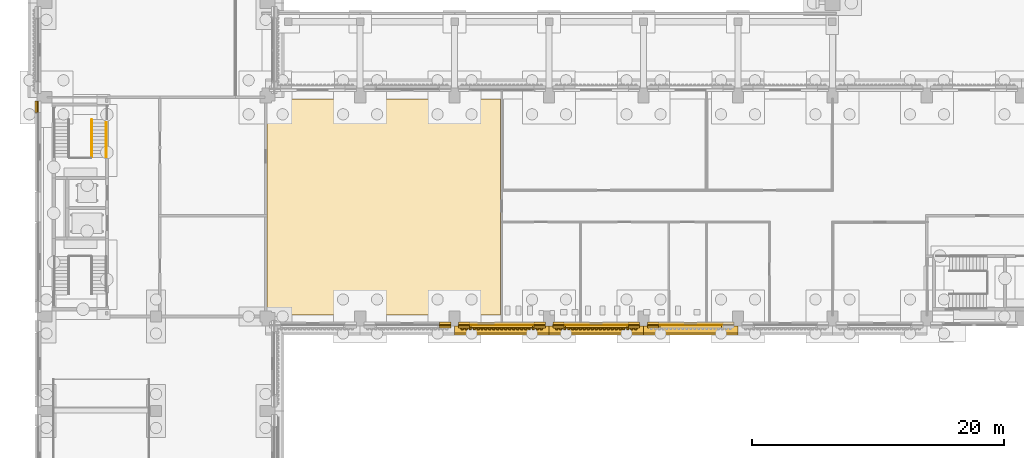
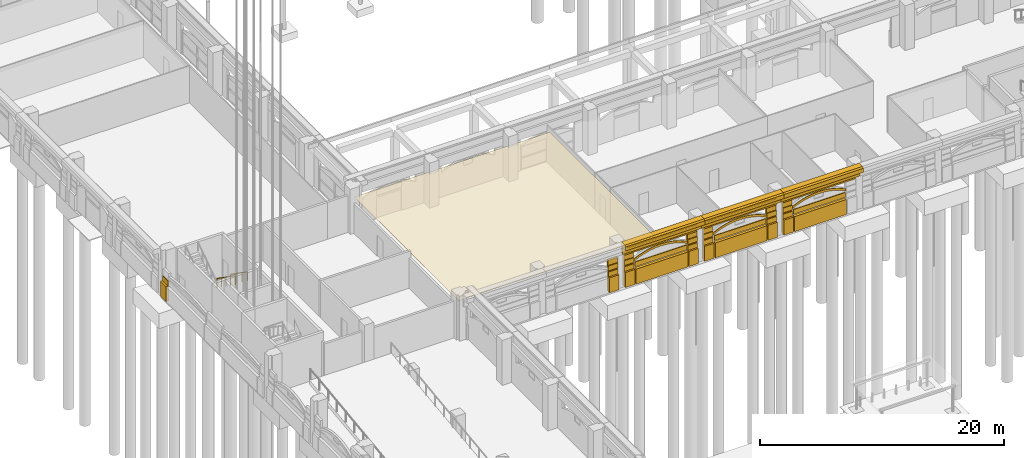
# One storey, part 65 of 99: 44 coverings, 2 railings.
"""IFC4 building model written with IfcOpenShell, lengths in metres."""

from ifc_helpers import new_model, si_unit, direction, frame, origin, origin_2d, place, context, subcontext, project, spatial, polyline, circle, outline, extrude, material, layer, layer_set, type_object, element, save


model = new_model("IFC4")

# Units and contexts
model_context = context("Model", 3, precision=1e-05, world=origin(), true_north=direction((0.0, 1.0)))
body_context = subcontext(model_context, "Body", "Model", "MODEL_VIEW")
ifc_project = project(units=[si_unit("LENGTHUNIT", "METRE"), si_unit("AREAUNIT", "SQUARE_METRE"), si_unit("VOLUMEUNIT", "CUBIC_METRE"), si_unit("PLANEANGLEUNIT", "RADIAN"), si_unit("MASSUNIT", "GRAM", prefix="KILO")], contexts=[model_context])

# Site, building, storey
site_placement = place(None, origin())
site = spatial("IfcSite", under=ifc_project, at=site_placement, CompositionType="ELEMENT")
building_placement = place(site_placement, origin())
building = spatial("IfcBuilding", under=site, at=building_placement, Name="Cour d'Honneur Mobility Palace", CompositionType="ELEMENT")
storey_placement = place(building_placement, origin())
storey = spatial("IfcBuildingStorey", under=building, at=storey_placement, Name="L00", CompositionType="ELEMENT", Elevation=0.0)

# Coverings
ifc_material_1 = material(Name="Cast limestone", Category="masonry")
ifc_layer_1 = layer(ifc_material_1, 0.050048828125)
ifc_layer_set_1 = layer_set([ifc_layer_1], Name="Cast limestone")
covering_type_1 = type_object("IfcCoveringType", Name="Arch hood", PredefinedType="CLADDING", material=ifc_layer_set_1)
for number, where, z_axis, x_axis, name in (
    (1, (33.60009765625, 44.300048828125, 2.179931640625), (0.0, -1.0, 0.0), (0.893466628376, 0.0, 0.449129584839), "Arch hood AH-9"),
    (2, (41.10009765625, 44.300048828125, 2.179931640625), (0.0, -1.0, 0.0), (0.893466628376, 0.0, 0.449129584839), "Arch hood AH-10"),
    (3, (48.60009765625, 44.300048828125, 2.179931640625), (0.0, -1.0, 0.0), (0.893466628376, 0.0, 0.449129584839), "Arch hood AH-11"),
):
    element("IfcCovering", number, at=place(storey_placement, frame(where, z_axis=z_axis, x_axis=x_axis)), inside=storey, type_object=covering_type_1, Name=name, PredefinedType="CLADDING", context=body_context, shape_type="SweptSolid", body=[
        extrude(outline(polyline([(0.0, 0.0), (0.35659251896621735, 0.0), (0.7019994885684498, -0.022795326888668588), (1.0365522012474004, -0.0666397586034293), (1.3614544754480467, -0.13022567619190017), (1.6770364335570624, -0.21235277137119013), (1.9834088964060255, -0.3122569988605455), (2.2812274285521696, -0.4297213972129261), (2.5701654177709066, -0.564308533372167), (2.850768777841922, -0.7160195773922962), (3.122709726486599, -0.8849630099968336), (3.38566048142632, -1.0712473119092998), (3.6398380041081246, -1.2755280476869282), (3.8844770791972314, -1.4982403102778272), (4.119465715808033, -1.740694058742436), (4.343818226996622, -2.004306562810686), (4.556548925819088, -2.2904950922125074), (4.655344276390369, -2.0939586097498237), (4.44272322834545, -1.807551948846934), (4.218261066379314, -1.5441575762797524), (3.983272429768512, -1.3017038278151434), (3.7387430054569535, -1.078773433723176), (3.4844558319976, -0.8747108294466162), (3.221505077057879, -0.68842652753415), (2.949564128413202, -0.5194830949296125), (2.6689607683421865, -0.3677720509094833), (2.3800227791234496, -0.2331849147502425), (2.0822042469773057, -0.11572051639786185), (1.7758317841283424, -0.015816288908506504), (1.4603594767968753, 0.06652893777185187), (1.1353475518186806, 0.12989672385925438), (0.8007948391397299, 0.17374115557401504), (0.45549752031504603, 0.1967546139637521), (0.09879535057128006, 0.19653648246268365), (0.0, 0.0)])), origin(), (0.0, 0.0, -1.0), 0.050048828125),
    ])
ifc_material_2 = material(Name="Cast limestone", Category="masonry")
ifc_layer_2 = layer(ifc_material_2, 0.14990234375)
ifc_layer_set_2 = layer_set([ifc_layer_2], Name="Cast limestone")
covering_type_2 = type_object("IfcCoveringType", Name="Dentil course", PredefinedType="CLADDING", material=ifc_layer_set_2)
covering_1_placement = place(storey_placement, frame((0.0, 0.0, 3.949951171875)))
element("IfcCovering", 4, at=covering_1_placement, inside=storey, type_object=covering_type_2, Name="Dentil course DC-7", PredefinedType="CLADDING", context=body_context, shape_type="SweptSolid", body=[
    extrude(outline(polyline([(32.85009765625, 44.10009765625), (39.449951171875, 44.10009765625), (39.449951171875, 44.070068359375), (39.449951171875, 44.070068359375), (39.371337890625, 44.070068359375), (39.371337890625, 43.949951171875), (39.21435546875, 43.949951171875), (39.21435546875, 44.070068359375), (39.1357421875, 44.070068359375), (39.1357421875, 44.070068359375), (39.05712890625, 44.070068359375), (39.05712890625, 43.949951171875), (38.89990234375, 43.949951171875), (38.89990234375, 44.070068359375), (38.821533203125, 44.070068359375), (38.821533203125, 44.070068359375), (38.742919921875, 44.070068359375), (38.742919921875, 43.949951171875), (38.585693359375, 43.949951171875), (38.585693359375, 44.070068359375), (38.507080078125, 44.070068359375), (38.507080078125, 44.070068359375), (38.428466796875, 44.070068359375), (38.428466796875, 43.949951171875), (38.271484375, 43.949951171875), (38.271484375, 44.070068359375), (38.19287109375, 44.070068359375), (38.19287109375, 44.070068359375), (38.1142578125, 44.070068359375), (38.1142578125, 43.949951171875), (37.95703125, 43.949951171875), (37.95703125, 44.070068359375), (37.878662109375, 44.070068359375), (37.878662109375, 44.070068359375), (37.800048828125, 44.070068359375), (37.800048828125, 43.949951171875), (37.642822265625, 43.949951171875), (37.642822265625, 44.070068359375), (37.564208984375, 44.070068359375), (37.564208984375, 44.070068359375), (37.485595703125, 44.070068359375), (37.485595703125, 43.949951171875), (37.32861328125, 43.949951171875), (37.32861328125, 44.070068359375), (37.25, 44.070068359375), (37.25, 44.070068359375), (37.17138671875, 44.070068359375), (37.17138671875, 43.949951171875), (37.014404296875, 43.949951171875), (37.014404296875, 44.070068359375), (36.935791015625, 44.070068359375), (36.935791015625, 44.070068359375), (36.857177734375, 44.070068359375), (36.857177734375, 43.949951171875), (36.699951171875, 43.949951171875), (36.699951171875, 44.070068359375), (36.621337890625, 44.070068359375), (36.621337890625, 44.070068359375), (36.54296875, 44.070068359375), (36.54296875, 43.949951171875), (36.3857421875, 43.949951171875), (36.3857421875, 44.070068359375), (36.30712890625, 44.070068359375), (36.30712890625, 44.070068359375), (36.228515625, 44.070068359375), (36.228515625, 43.949951171875), (36.071533203125, 43.949951171875), (36.071533203125, 44.070068359375), (35.992919921875, 44.070068359375), (35.992919921875, 44.070068359375), (35.914306640625, 44.070068359375), (35.914306640625, 43.949951171875), (35.757080078125, 43.949951171875), (35.757080078125, 44.070068359375), (35.678466796875, 44.070068359375), (35.678466796875, 44.070068359375), (35.60009765625, 44.070068359375), (35.60009765625, 43.949951171875), (35.44287109375, 43.949951171875), (35.44287109375, 44.070068359375), (35.3642578125, 44.070068359375), (35.3642578125, 44.070068359375), (35.28564453125, 44.070068359375), (35.28564453125, 43.949951171875), (35.128662109375, 43.949951171875), (35.128662109375, 44.070068359375), (35.050048828125, 44.070068359375), (35.050048828125, 44.070068359375), (34.971435546875, 44.070068359375), (34.971435546875, 43.949951171875), (34.814208984375, 43.949951171875), (34.814208984375, 44.070068359375), (34.735595703125, 44.070068359375), (34.735595703125, 44.070068359375), (34.6572265625, 44.070068359375), (34.6572265625, 43.949951171875), (34.5, 43.949951171875), (34.5, 44.070068359375), (34.42138671875, 44.070068359375), (34.42138671875, 44.070068359375), (34.3427734375, 44.070068359375), (34.3427734375, 43.949951171875), (34.185791015625, 43.949951171875), (34.185791015625, 44.070068359375), (34.107177734375, 44.070068359375), (34.107177734375, 44.070068359375), (34.028564453125, 44.070068359375), (34.028564453125, 43.949951171875), (33.871337890625, 43.949951171875), (33.871337890625, 44.070068359375), (33.79296875, 44.070068359375), (33.79296875, 44.070068359375), (33.71435546875, 44.070068359375), (33.71435546875, 43.949951171875), (33.55712890625, 43.949951171875), (33.55712890625, 44.070068359375), (33.478515625, 44.070068359375), (33.478515625, 44.070068359375), (33.39990234375, 44.070068359375), (33.39990234375, 43.949951171875), (33.242919921875, 43.949951171875), (33.242919921875, 44.070068359375), (33.164306640625, 44.070068359375), (33.164306640625, 44.070068359375), (33.085693359375, 44.070068359375), (33.085693359375, 43.949951171875), (32.928466796875, 43.949951171875), (32.928466796875, 44.070068359375), (32.85009765625, 44.070068359375), (32.85009765625, 44.10009765625)])), origin(), (0.0, 0.0, 1.0), 0.150146484375),
])
covering_2_placement = place(storey_placement, frame((0.0, 0.0, 3.949951171875)))
element("IfcCovering", 5, at=covering_2_placement, inside=storey, type_object=covering_type_2, Name="Dentil course DC-8", PredefinedType="CLADDING", context=body_context, shape_type="SweptSolid", body=[
    extrude(outline(polyline([(40.35009765625, 44.10009765625), (46.949951171875, 44.10009765625), (46.949951171875, 44.070068359375), (46.949951171875, 44.070068359375), (46.871337890625, 44.070068359375), (46.871337890625, 43.949951171875), (46.71435546875, 43.949951171875), (46.71435546875, 44.070068359375), (46.6357421875, 44.070068359375), (46.6357421875, 44.070068359375), (46.55712890625, 44.070068359375), (46.55712890625, 43.949951171875), (46.39990234375, 43.949951171875), (46.39990234375, 44.070068359375), (46.321533203125, 44.070068359375), (46.321533203125, 44.070068359375), (46.242919921875, 44.070068359375), (46.242919921875, 43.949951171875), (46.085693359375, 43.949951171875), (46.085693359375, 44.070068359375), (46.007080078125, 44.070068359375), (46.007080078125, 44.070068359375), (45.928466796875, 44.070068359375), (45.928466796875, 43.949951171875), (45.771484375, 43.949951171875), (45.771484375, 44.070068359375), (45.69287109375, 44.070068359375), (45.69287109375, 44.070068359375), (45.6142578125, 44.070068359375), (45.6142578125, 43.949951171875), (45.45703125, 43.949951171875), (45.45703125, 44.070068359375), (45.378662109375, 44.070068359375), (45.378662109375, 44.070068359375), (45.300048828125, 44.070068359375), (45.300048828125, 43.949951171875), (45.142822265625, 43.949951171875), (45.142822265625, 44.070068359375), (45.064208984375, 44.070068359375), (45.064208984375, 44.070068359375), (44.985595703125, 44.070068359375), (44.985595703125, 43.949951171875), (44.82861328125, 43.949951171875), (44.82861328125, 44.070068359375), (44.75, 44.070068359375), (44.75, 44.070068359375), (44.67138671875, 44.070068359375), (44.67138671875, 43.949951171875), (44.514404296875, 43.949951171875), (44.514404296875, 44.070068359375), (44.435791015625, 44.070068359375), (44.435791015625, 44.070068359375), (44.357177734375, 44.070068359375), (44.357177734375, 43.949951171875), (44.199951171875, 43.949951171875), (44.199951171875, 44.070068359375), (44.121337890625, 44.070068359375), (44.121337890625, 44.070068359375), (44.04296875, 44.070068359375), (44.04296875, 43.949951171875), (43.8857421875, 43.949951171875), (43.8857421875, 44.070068359375), (43.80712890625, 44.070068359375), (43.80712890625, 44.070068359375), (43.728515625, 44.070068359375), (43.728515625, 43.949951171875), (43.571533203125, 43.949951171875), (43.571533203125, 44.070068359375), (43.492919921875, 44.070068359375), (43.492919921875, 44.070068359375), (43.414306640625, 44.070068359375), (43.414306640625, 43.949951171875), (43.257080078125, 43.949951171875), (43.257080078125, 44.070068359375), (43.178466796875, 44.070068359375), (43.178466796875, 44.070068359375), (43.10009765625, 44.070068359375), (43.10009765625, 43.949951171875), (42.94287109375, 43.949951171875), (42.94287109375, 44.070068359375), (42.8642578125, 44.070068359375), (42.8642578125, 44.070068359375), (42.78564453125, 44.070068359375), (42.78564453125, 43.949951171875), (42.628662109375, 43.949951171875), (42.628662109375, 44.070068359375), (42.550048828125, 44.070068359375), (42.550048828125, 44.070068359375), (42.471435546875, 44.070068359375), (42.471435546875, 43.949951171875), (42.314208984375, 43.949951171875), (42.314208984375, 44.070068359375), (42.235595703125, 44.070068359375), (42.235595703125, 44.070068359375), (42.1572265625, 44.070068359375), (42.1572265625, 43.949951171875), (42.0, 43.949951171875), (42.0, 44.070068359375), (41.92138671875, 44.070068359375), (41.92138671875, 44.070068359375), (41.8427734375, 44.070068359375), (41.8427734375, 43.949951171875), (41.685791015625, 43.949951171875), (41.685791015625, 44.070068359375), (41.607177734375, 44.070068359375), (41.607177734375, 44.070068359375), (41.528564453125, 44.070068359375), (41.528564453125, 43.949951171875), (41.371337890625, 43.949951171875), (41.371337890625, 44.070068359375), (41.29296875, 44.070068359375), (41.29296875, 44.070068359375), (41.21435546875, 44.070068359375), (41.21435546875, 43.949951171875), (41.05712890625, 43.949951171875), (41.05712890625, 44.070068359375), (40.978515625, 44.070068359375), (40.978515625, 44.070068359375), (40.89990234375, 44.070068359375), (40.89990234375, 43.949951171875), (40.742919921875, 43.949951171875), (40.742919921875, 44.070068359375), (40.664306640625, 44.070068359375), (40.664306640625, 44.070068359375), (40.585693359375, 44.070068359375), (40.585693359375, 43.949951171875), (40.428466796875, 43.949951171875), (40.428466796875, 44.070068359375), (40.35009765625, 44.070068359375), (40.35009765625, 44.10009765625)])), origin(), (0.0, 0.0, 1.0), 0.150146484375),
])
ifc_material_3 = material(Name="Cast limestone", Category="masonry")
ifc_layer_3 = layer(ifc_material_3, 0.699951171875)
ifc_layer_set_3 = layer_set([ifc_layer_3], Name="Cast limestone")
covering_type_3 = type_object("IfcCoveringType", Name="Entablature", PredefinedType="CLADDING", material=ifc_layer_set_3)
for number, where, z_axis, x_axis, name in (
    (6, (32.39990234375, 44.25, 3.39990234375), (-1.0, 0.0, 0.0), (0.0, -1.0, 0.0), "Entablature EN-7"),
    (7, (39.89990234375, 44.25, 3.39990234375), (-1.0, 0.0, 0.0), (0.0, -1.0, 0.0), "Entablature EN-8"),
    (8, (47.39990234375, 44.25, 3.39990234375), (-1.0, 0.0, 0.0), (0.0, -1.0, 0.0), "Entablature EN-9"),
):
    element("IfcCovering", number, at=place(storey_placement, frame(where, z_axis=z_axis, x_axis=x_axis)), inside=storey, type_object=covering_type_3, Name=name, PredefinedType="CLADDING", context=body_context, shape_type="SweptSolid", body=[
        extrude(outline(polyline([(0.0, 0.0), (0.14990234375, 0.0), (0.14990234375, 0.7001953125), (0.699951171875, 0.7001953125), (0.699951171875, 1.10009765625), (0.550048828125, 1.2001953125), (0.0, 1.2001953125), (0.0, 0.0)])), origin(), (0.0, 0.0, -1.0), 7.5),
    ])

# Railings
ifc_material_4 = material(Name="Stainless steel", Category="steel")
railing_type = type_object("IfcRailingType", Name="Handrail round 50", PredefinedType="HANDRAIL", material=ifc_material_4)
railing_1_placement = place(storey_placement, frame((4.75, 60.39990234375, 0.34375)))
element("IfcRailing", 9, at=railing_1_placement, inside=storey, type_object=railing_type, Name="Handrail ST-CW2", PredefinedType="HANDRAIL", context=body_context, shape_type="SweptSolid", body=[
    extrude(circle(Radius=0.02490234375, at=origin_2d()), frame((0.0, 0.0, 0.89501953125), z_axis=(0.0, -0.821357605833, 0.570413607253), x_axis=(1.0, 0.0, 0.0)), (0.0, 0.0, 1.0), 3.341796875),
    extrude(circle(Radius=0.02099609375, at=origin_2d()), origin(), (0.0, 0.0, 1.0), 0.869873046875),
    extrude(circle(Radius=0.02099609375, at=origin_2d()), frame((0.0, -0.9150390625, 0.635498046875)), (0.0, 0.0, 1.0), 0.869873046875),
    extrude(circle(Radius=0.02099609375, at=origin_2d()), frame((0.0, -1.829833984375, 1.270751953125)), (0.0, 0.0, 1.0), 0.869873046875),
    extrude(circle(Radius=0.02099609375, at=origin_2d()), frame((0.0, -2.744873046875, 1.90625)), (0.0, 0.0, 1.0), 0.869873046875),
])
railing_2_placement = place(storey_placement, frame((3.60009765625, 60.625, 0.1875)))
element("IfcRailing", 10, at=railing_2_placement, inside=storey, type_object=railing_type, Name="Handrail ST-CW2", PredefinedType="HANDRAIL", context=body_context, shape_type="SweptSolid", body=[
    extrude(circle(Radius=0.02490234375, at=origin_2d()), frame((0.0, 0.0, 0.89501953125), z_axis=(0.0, -0.821367329581, 0.57039960545), x_axis=(1.0, 0.0, 0.0)), (0.0, 0.0, 1.0), 3.615966796875),
    extrude(circle(Radius=0.02099609375, at=origin_2d()), origin(), (0.0, 0.0, 1.0), 0.869873046875),
    extrude(circle(Radius=0.02099609375, at=origin_2d()), frame((0.0, -0.742431640625, 0.515625)), (0.0, 0.0, 1.0), 0.869873046875),
    extrude(circle(Radius=0.02099609375, at=origin_2d()), frame((0.0, -1.48486328125, 1.03125)), (0.0, 0.0, 1.0), 0.869873046875),
    extrude(circle(Radius=0.02099609375, at=origin_2d()), frame((0.0, -2.2275390625, 1.546875)), (0.0, 0.0, 1.0), 0.869873046875),
    extrude(circle(Radius=0.02099609375, at=origin_2d()), frame((0.0, -2.969970703125, 2.0625)), (0.0, 0.0, 1.0), 0.869873046875),
])

# Coverings
ifc_material_5 = material(Name="Cast limestone", Category="masonry")
ifc_layer_4 = layer(ifc_material_5, 0.25)
ifc_layer_set_4 = layer_set([ifc_layer_4], Name="Cast limestone")
covering_type_4 = type_object("IfcCoveringType", Name="Plinth course", PredefinedType="CLADDING", material=ifc_layer_set_4)
covering_3_placement = place(storey_placement, origin())
element("IfcCovering", 11, at=covering_3_placement, inside=storey, type_object=covering_type_4, Name="Plinth course PI-25", PredefinedType="CLADDING", context=body_context, shape_type="SweptSolid", body=[
    extrude(outline(polyline([(31.199951171875, 44.35009765625), (32.10009765625, 44.35009765625), (32.10009765625, 44.10009765625), (31.199951171875, 44.10009765625), (31.199951171875, 44.35009765625)])), origin(), (0.0, 0.0, 1.0), 1.5),
])
covering_4_placement = place(storey_placement, origin())
element("IfcCovering", 12, at=covering_4_placement, inside=storey, type_object=covering_type_4, Name="Plinth course PI-27", PredefinedType="CLADDING", context=body_context, shape_type="SweptSolid", body=[
    extrude(outline(polyline([(32.699951171875, 44.35009765625), (33.60009765625, 44.35009765625), (33.60009765625, 44.10009765625), (32.699951171875, 44.10009765625), (32.699951171875, 44.35009765625)])), origin(), (0.0, 0.0, 1.0), 1.5),
])
covering_5_placement = place(storey_placement, origin())
element("IfcCovering", 13, at=covering_5_placement, inside=storey, type_object=covering_type_4, Name="Plinth course PI-28", PredefinedType="CLADDING", context=body_context, shape_type="SweptSolid", body=[
    extrude(outline(polyline([(38.699951171875, 44.35009765625), (39.60009765625, 44.35009765625), (39.60009765625, 44.10009765625), (38.699951171875, 44.10009765625), (38.699951171875, 44.35009765625)])), origin(), (0.0, 0.0, 1.0), 1.5),
])
covering_6_placement = place(storey_placement, origin())
element("IfcCovering", 14, at=covering_6_placement, inside=storey, type_object=covering_type_4, Name="Plinth course PI-29", PredefinedType="CLADDING", context=body_context, shape_type="SweptSolid", body=[
    extrude(outline(polyline([(33.699951171875, 44.35009765625), (38.60009765625, 44.35009765625), (38.60009765625, 44.10009765625), (33.699951171875, 44.10009765625), (33.699951171875, 44.35009765625)])), origin(), (0.0, 0.0, 1.0), 1.5),
])
covering_7_placement = place(storey_placement, origin())
element("IfcCovering", 15, at=covering_7_placement, inside=storey, type_object=covering_type_4, Name="Plinth course PI-30", PredefinedType="CLADDING", context=body_context, shape_type="SweptSolid", body=[
    extrude(outline(polyline([(40.199951171875, 44.35009765625), (41.10009765625, 44.35009765625), (41.10009765625, 44.10009765625), (40.199951171875, 44.10009765625), (40.199951171875, 44.35009765625)])), origin(), (0.0, 0.0, 1.0), 1.5),
])
covering_8_placement = place(storey_placement, origin())
element("IfcCovering", 16, at=covering_8_placement, inside=storey, type_object=covering_type_4, Name="Plinth course PI-31", PredefinedType="CLADDING", context=body_context, shape_type="SweptSolid", body=[
    extrude(outline(polyline([(46.199951171875, 44.35009765625), (47.10009765625, 44.35009765625), (47.10009765625, 44.10009765625), (46.199951171875, 44.10009765625), (46.199951171875, 44.35009765625)])), origin(), (0.0, 0.0, 1.0), 1.5),
])
covering_9_placement = place(storey_placement, origin())
element("IfcCovering", 17, at=covering_9_placement, inside=storey, type_object=covering_type_4, Name="Plinth course PI-32", PredefinedType="CLADDING", context=body_context, shape_type="SweptSolid", body=[
    extrude(outline(polyline([(41.199951171875, 44.35009765625), (46.10009765625, 44.35009765625), (46.10009765625, 44.10009765625), (41.199951171875, 44.10009765625), (41.199951171875, 44.35009765625)])), origin(), (0.0, 0.0, 1.0), 1.5),
])
covering_10_placement = place(storey_placement, origin())
element("IfcCovering", 18, at=covering_10_placement, inside=storey, type_object=covering_type_4, Name="Plinth course PI-33", PredefinedType="CLADDING", context=body_context, shape_type="SweptSolid", body=[
    extrude(outline(polyline([(47.699951171875, 44.35009765625), (48.60009765625, 44.35009765625), (48.60009765625, 44.10009765625), (47.699951171875, 44.10009765625), (47.699951171875, 44.35009765625)])), origin(), (0.0, 0.0, 1.0), 1.5),
])
covering_11_placement = place(storey_placement, origin())
element("IfcCovering", 19, at=covering_11_placement, inside=storey, type_object=covering_type_4, Name="Plinth course PI-35", PredefinedType="CLADDING", context=body_context, shape_type="SweptSolid", body=[
    extrude(outline(polyline([(48.699951171875, 44.35009765625), (53.60009765625, 44.35009765625), (53.60009765625, 44.10009765625), (48.699951171875, 44.10009765625), (48.699951171875, 44.35009765625)])), origin(), (0.0, 0.0, 1.0), 1.5),
])
covering_12_placement = place(storey_placement, origin())
element("IfcCovering", 20, at=covering_12_placement, inside=storey, type_object=covering_type_4, Name="Plinth course PI-208", PredefinedType="CLADDING", context=body_context, shape_type="SweptSolid", body=[
    extrude(outline(polyline([(-0.64990234375, 62.10009765625), (-0.64990234375, 61.199951171875), (-0.89990234375, 61.199951171875), (-0.89990234375, 62.10009765625), (-0.64990234375, 62.10009765625)])), origin(), (0.0, 0.0, 1.0), 1.5),
])
ifc_material_6 = material(Name="Cast limestone", Category="masonry")
ifc_layer_5 = layer(ifc_material_6, 0.199951171875)
ifc_layer_set_5 = layer_set([ifc_layer_5], Name="Cast limestone")
covering_type_5 = type_object("IfcCoveringType", Name="Rusticated jamb panel", PredefinedType="CLADDING", material=ifc_layer_set_5)
for number, where, z_axis, x_axis, name in (
    (21, (31.199951171875, 44.35009765625, 0.0), (0.0, -1.0, 0.0), (1.0, 0.0, 0.0), "Rusticated jamb panel RP-20"),
    (22, (32.699951171875, 44.35009765625, 0.0), (0.0, -1.0, 0.0), (1.0, 0.0, 0.0), "Rusticated jamb panel RP-21"),
    (23, (38.699951171875, 44.35009765625, 0.0), (0.0, -1.0, 0.0), (1.0, 0.0, 0.0), "Rusticated jamb panel RP-22"),
    (24, (40.199951171875, 44.35009765625, 0.0), (0.0, -1.0, 0.0), (1.0, 0.0, 0.0), "Rusticated jamb panel RP-23"),
    (25, (46.199951171875, 44.35009765625, 0.0), (0.0, -1.0, 0.0), (1.0, 0.0, 0.0), "Rusticated jamb panel RP-24"),
    (26, (47.699951171875, 44.35009765625, 0.0), (0.0, -1.0, 0.0), (1.0, 0.0, 0.0), "Rusticated jamb panel RP-25"),
):
    element("IfcCovering", number, at=place(storey_placement, frame(where, z_axis=z_axis, x_axis=x_axis)), inside=storey, type_object=covering_type_5, Name=name, PredefinedType="CLADDING", context=body_context, shape_type="SweptSolid", body=[
        extrude(outline(polyline([(0.0, 0.0), (0.900146484375, 0.0), (0.900146484375, 3.10009765625), (0.0, 3.10009765625), (0.0, 0.0)])), origin(), (0.0, 0.0, -1.0), 0.199951171875),
    ])
ifc_material_7 = material(Name="Cast limestone", Category="masonry")
ifc_layer_6 = layer(ifc_material_7, 0.080078125)
ifc_layer_set_6 = layer_set([ifc_layer_6], Name="Cast limestone")
covering_type_6 = type_object("IfcCoveringType", Name="Rustication course", PredefinedType="CLADDING", material=ifc_layer_set_6)
for number, where, name in (
    (27, (0.0, 0.0, 1.5), "Rustication course RC-42"),
    (28, (0.0, 0.0, 2.10009765625), "Rustication course RC-43"),
):
    element("IfcCovering", number, at=place(storey_placement, frame(where)), inside=storey, type_object=covering_type_6, Name=name, PredefinedType="CLADDING", context=body_context, shape_type="SweptSolid", body=[
        extrude(outline(polyline([(31.199951171875, 44.35009765625), (32.10009765625, 44.35009765625), (32.10009765625, 44.27001953125), (31.199951171875, 44.27001953125), (31.199951171875, 44.35009765625)])), origin(), (0.0, 0.0, 1.0), 0.47998046875),
    ])
for number, where, name in (
    (29, (0.0, 0.0, 1.5), "Rustication course RC-45"),
    (30, (0.0, 0.0, 2.10009765625), "Rustication course RC-46"),
):
    element("IfcCovering", number, at=place(storey_placement, frame(where)), inside=storey, type_object=covering_type_6, Name=name, PredefinedType="CLADDING", context=body_context, shape_type="SweptSolid", body=[
        extrude(outline(polyline([(32.699951171875, 44.35009765625), (33.60009765625, 44.35009765625), (33.60009765625, 44.27001953125), (32.699951171875, 44.27001953125), (32.699951171875, 44.35009765625)])), origin(), (0.0, 0.0, 1.0), 0.47998046875),
    ])
for number, where, name in (
    (31, (0.0, 0.0, 1.5), "Rustication course RC-47"),
    (32, (0.0, 0.0, 2.10009765625), "Rustication course RC-48"),
):
    element("IfcCovering", number, at=place(storey_placement, frame(where)), inside=storey, type_object=covering_type_6, Name=name, PredefinedType="CLADDING", context=body_context, shape_type="SweptSolid", body=[
        extrude(outline(polyline([(38.699951171875, 44.35009765625), (39.60009765625, 44.35009765625), (39.60009765625, 44.27001953125), (38.699951171875, 44.27001953125), (38.699951171875, 44.35009765625)])), origin(), (0.0, 0.0, 1.0), 0.47998046875),
    ])
covering_13_placement = place(storey_placement, frame((0.0, 0.0, 1.6201171875)))
element("IfcCovering", 33, at=covering_13_placement, inside=storey, type_object=covering_type_6, Name="Rustication course RC-49", PredefinedType="CLADDING", context=body_context, shape_type="SweptSolid", body=[
    extrude(outline(polyline([(33.699951171875, 44.35009765625), (38.60009765625, 44.35009765625), (38.60009765625, 44.27001953125), (33.699951171875, 44.27001953125), (33.699951171875, 44.35009765625)])), origin(), (0.0, 0.0, 1.0), 0.47998046875),
])
for number, where, name in (
    (34, (0.0, 0.0, 1.5), "Rustication course RC-50"),
    (35, (0.0, 0.0, 2.10009765625), "Rustication course RC-51"),
):
    element("IfcCovering", number, at=place(storey_placement, frame(where)), inside=storey, type_object=covering_type_6, Name=name, PredefinedType="CLADDING", context=body_context, shape_type="SweptSolid", body=[
        extrude(outline(polyline([(40.199951171875, 44.35009765625), (41.10009765625, 44.35009765625), (41.10009765625, 44.27001953125), (40.199951171875, 44.27001953125), (40.199951171875, 44.35009765625)])), origin(), (0.0, 0.0, 1.0), 0.47998046875),
    ])
for number, where, name in (
    (36, (0.0, 0.0, 1.5), "Rustication course RC-52"),
    (37, (0.0, 0.0, 2.10009765625), "Rustication course RC-53"),
):
    element("IfcCovering", number, at=place(storey_placement, frame(where)), inside=storey, type_object=covering_type_6, Name=name, PredefinedType="CLADDING", context=body_context, shape_type="SweptSolid", body=[
        extrude(outline(polyline([(46.199951171875, 44.35009765625), (47.10009765625, 44.35009765625), (47.10009765625, 44.27001953125), (46.199951171875, 44.27001953125), (46.199951171875, 44.35009765625)])), origin(), (0.0, 0.0, 1.0), 0.47998046875),
    ])
covering_14_placement = place(storey_placement, frame((0.0, 0.0, 1.6201171875)))
element("IfcCovering", 38, at=covering_14_placement, inside=storey, type_object=covering_type_6, Name="Rustication course RC-54", PredefinedType="CLADDING", context=body_context, shape_type="SweptSolid", body=[
    extrude(outline(polyline([(41.199951171875, 44.35009765625), (46.10009765625, 44.35009765625), (46.10009765625, 44.27001953125), (41.199951171875, 44.27001953125), (41.199951171875, 44.35009765625)])), origin(), (0.0, 0.0, 1.0), 0.47998046875),
])
for number, where, name in (
    (39, (0.0, 0.0, 1.5), "Rustication course RC-55"),
    (40, (0.0, 0.0, 2.10009765625), "Rustication course RC-56"),
):
    element("IfcCovering", number, at=place(storey_placement, frame(where)), inside=storey, type_object=covering_type_6, Name=name, PredefinedType="CLADDING", context=body_context, shape_type="SweptSolid", body=[
        extrude(outline(polyline([(47.699951171875, 44.35009765625), (48.60009765625, 44.35009765625), (48.60009765625, 44.27001953125), (47.699951171875, 44.27001953125), (47.699951171875, 44.35009765625)])), origin(), (0.0, 0.0, 1.0), 0.47998046875),
    ])
covering_15_placement = place(storey_placement, frame((0.0, 0.0, 1.6201171875)))
element("IfcCovering", 41, at=covering_15_placement, inside=storey, type_object=covering_type_6, Name="Rustication course RC-59", PredefinedType="CLADDING", context=body_context, shape_type="SweptSolid", body=[
    extrude(outline(polyline([(48.699951171875, 44.35009765625), (53.60009765625, 44.35009765625), (53.60009765625, 44.27001953125), (48.699951171875, 44.27001953125), (48.699951171875, 44.35009765625)])), origin(), (0.0, 0.0, 1.0), 0.47998046875),
])
covering_16_placement = place(storey_placement, frame((0.0, 0.0, 1.5)))
element("IfcCovering", 42, at=covering_16_placement, inside=storey, type_object=covering_type_6, Name="Rustication course RC-383", PredefinedType="CLADDING", context=body_context, shape_type="SweptSolid", body=[
    extrude(outline(polyline([(-0.64990234375, 62.10009765625), (-0.64990234375, 61.199951171875), (-0.72998046875, 61.199951171875), (-0.72998046875, 62.10009765625), (-0.64990234375, 62.10009765625)])), origin(), (0.0, 0.0, 1.0), 0.47998046875),
])
ifc_material_8 = material(Name="Cast limestone", Category="masonry")
ifc_layer_7 = layer(ifc_material_8, 0.25)
ifc_layer_set_7 = layer_set([ifc_layer_7], Name="Cast limestone")
covering_type_7 = type_object("IfcCoveringType", Name="Spandrel cladding", PredefinedType="CLADDING", material=ifc_layer_set_7)
for number, where, z_axis, x_axis, name in (
    (43, (32.699951171875, 44.550048828125, 3.10009765625), (-1.0, 0.0, 0.0), (0.0, -1.0, 0.0), "Spandrel cladding SK-7"),
    (44, (40.199951171875, 44.550048828125, 3.10009765625), (-1.0, 0.0, 0.0), (0.0, -1.0, 0.0), "Spandrel cladding SK-8"),
    (45, (47.699951171875, 44.550048828125, 3.10009765625), (-1.0, 0.0, 0.0), (0.0, -1.0, 0.0), "Spandrel cladding SK-9"),
):
    element("IfcCovering", number, at=place(storey_placement, frame(where, z_axis=z_axis, x_axis=x_axis)), inside=storey, type_object=covering_type_7, Name=name, PredefinedType="CLADDING", context=body_context, shape_type="SweptSolid", body=[
        extrude(outline(polyline([(0.0, 0.0), (0.25, 0.0), (0.25, 1.39990234375), (0.199951171875, 1.39990234375), (0.199951171875, 0.7998046875), (0.0, 0.7998046875), (0.0, 0.0)])), origin(), (0.0, 0.0, -1.0), 6.89990234375),
    ])
ifc_material_9 = material(Name="Suspended ceiling")
ifc_layer_8 = layer(ifc_material_9, 0.030029296875)
ifc_layer_set_8 = layer_set([ifc_layer_8], Name="Suspended ceiling")
covering_type_8 = type_object("IfcCoveringType", Name="Suspended ceiling", PredefinedType="CEILING", material=ifc_layer_set_8)
covering_17_placement = place(storey_placement, frame((0.0, 0.0, 3.35009765625)))
element("IfcCovering", 46, at=covering_17_placement, inside=storey, type_object=covering_type_8, Name="Ceiling Taxi Lounge", PredefinedType="CEILING", context=body_context, shape_type="SweptSolid", body=[
    extrude(outline(polyline([(36.030029296875, 45.1201171875), (17.52001953125, 45.1201171875), (17.52001953125, 62.280029296875), (36.030029296875, 62.280029296875), (36.030029296875, 45.1201171875)])), origin(), (0.0, 0.0, 1.0), 0.02978515625),
])

save(model, "model.ifc")
